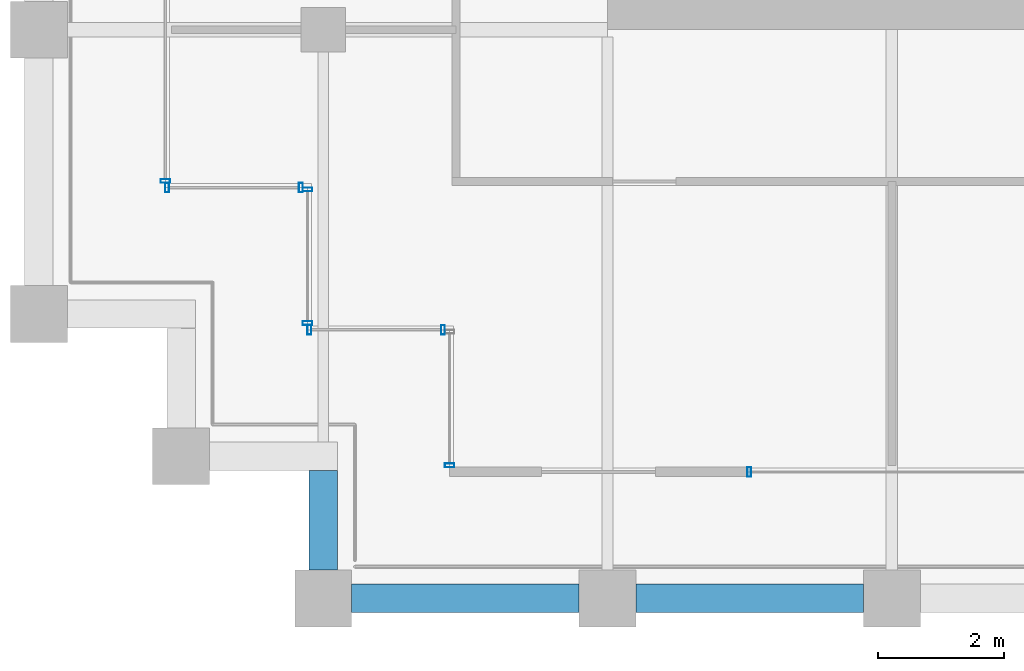
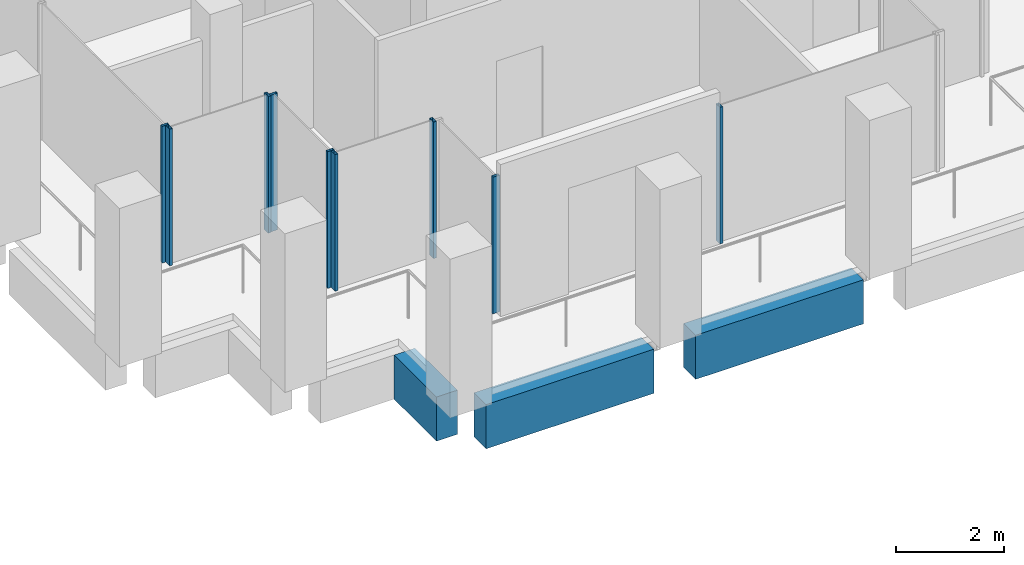
# One storey, part 28 of 40: 9 members, 3 beams, 6 elements without a shape of their own.
"""IFC4 building model written with IfcOpenShell, lengths in metres."""

from ifc_helpers import new_model, si_unit, direction, frame, origin, origin_2d, place, context, subcontext, project, spatial, rectangle, hollow_rectangle, extrude, material, material_profile, profile_set, type_object, element, aggregate, save


model = new_model("IFC4")

# Units and contexts
model_context = context("Model", 3, precision=1e-05, world=origin(), true_north=direction((0.0, 1.0)))
body_context = subcontext(model_context, "Body", "Model", "MODEL_VIEW")
ifc_project = project(units=[si_unit("LENGTHUNIT", "METRE"), si_unit("AREAUNIT", "SQUARE_METRE"), si_unit("VOLUMEUNIT", "CUBIC_METRE"), si_unit("PLANEANGLEUNIT", "RADIAN"), si_unit("MASSUNIT", "GRAM", prefix="KILO")], contexts=[model_context])

# Site, building, storey
site_placement = place(None, origin())
site = spatial("IfcSite", under=ifc_project, at=site_placement, CompositionType="ELEMENT")
building_placement = place(site_placement, origin())
building = spatial("IfcBuilding", under=site, at=building_placement, Name="Altepetl Exchange Towers", CompositionType="ELEMENT")
storey_placement = place(building_placement, frame((0.0, 0.0, 176.199951171875)))
storey = spatial("IfcBuildingStorey", under=building, at=storey_placement, Name="L44", CompositionType="ELEMENT", Elevation=176.199951171875)

# Curtain wall, member
ifc_material_1 = material(Name="Aluminium 6063-T6 glazing", Category="aluminium")
curtain_wall_type = type_object("IfcCurtainWallType", Name="Loggia glazing system", PredefinedType="NOTDEFINED", material=ifc_material_1)
curtain_wall_1_placement = place(storey_placement, origin())
curtain_wall_1 = element("IfcCurtainWall", 1, at=curtain_wall_1_placement, inside=storey, type_object=curtain_wall_type, Name="CW1 run", PredefinedType="NOTDEFINED")
ifc_material_2 = material(Name="Aluminium 6063-T6", Category="aluminium")
ifc_material_profile_1 = material_profile(ifc_material_2, hollow_rectangle(XDim=0.06005859375, YDim=0.14990234375, WallThickness=0.0029296875, at=origin_2d()), Name="Mullion 60x150 aluminium")
ifc_profile_set_1 = profile_set([ifc_material_profile_1], Name="Aluminium 6063-T6")
member_type = type_object("IfcMemberType", Name="Mullion 60x150 aluminium", PredefinedType="MULLION", material=ifc_profile_set_1)
member_1_placement = place(storey_placement, frame((101.0, 29.10498046875, 0.0), z_axis=(0.0, 0.0, 1.0), x_axis=(0.0, -1.0, 0.0)))
member_1 = element("IfcMember", 2, at=member_1_placement, type_object=member_type, Name="MU1 mullion", PredefinedType="MULLION", context=body_context, shape_type="SweptSolid", body=[
    extrude(hollow_rectangle(XDim=0.06005859375, YDim=0.14990234375, WallThickness=0.0029296875, at=origin_2d()), origin(), (0.0, 0.0, 1.0), 3.10009765625),
])
aggregate(curtain_wall_1, [member_1])

curtain_wall_2_placement = place(storey_placement, origin())
curtain_wall_2 = element("IfcCurtainWall", 3, at=curtain_wall_2_placement, inside=storey, type_object=curtain_wall_type, Name="CW1 run", PredefinedType="NOTDEFINED")
member_2_placement = place(storey_placement, frame((105.742431640625, 29.0, 0.0)))
member_2 = element("IfcMember", 4, at=member_2_placement, type_object=member_type, Name="MU1 mullion", PredefinedType="MULLION", context=body_context, shape_type="SweptSolid", body=[
    extrude(hollow_rectangle(XDim=0.06005859375, YDim=0.14990234375, WallThickness=0.0029296875, at=origin_2d()), origin(), (0.0, 0.0, 1.0), 3.10009765625),
])
aggregate(curtain_wall_2, [member_2])

curtain_wall_3_placement = place(storey_placement, origin())
curtain_wall_3 = element("IfcCurtainWall", 5, at=curtain_wall_3_placement, inside=storey, type_object=curtain_wall_type, Name="CW1 run", PredefinedType="NOTDEFINED")
member_3_placement = place(storey_placement, frame((96.5, 33.60498046875, 0.0), z_axis=(0.0, 0.0, 1.0), x_axis=(0.0, -1.0, 0.0)))
member_3 = element("IfcMember", 6, at=member_3_placement, type_object=member_type, Name="MU1 mullion", PredefinedType="MULLION", context=body_context, shape_type="SweptSolid", body=[
    extrude(hollow_rectangle(XDim=0.06005859375, YDim=0.14990234375, WallThickness=0.0029296875, at=origin_2d()), origin(), (0.0, 0.0, 1.0), 3.10009765625),
])
aggregate(curtain_wall_3, [member_3])

# Curtain wall, members
curtain_wall_4_placement = place(storey_placement, origin())
curtain_wall_4 = element("IfcCurtainWall", 7, at=curtain_wall_4_placement, inside=storey, type_object=curtain_wall_type, Name="CW1 run", PredefinedType="NOTDEFINED")
member_4_placement = place(storey_placement, frame((96.530029296875, 33.5, 0.0)))
member_4 = element("IfcMember", 8, at=member_4_placement, type_object=member_type, Name="MU1 mullion", PredefinedType="MULLION", context=body_context, shape_type="SweptSolid", body=[
    extrude(hollow_rectangle(XDim=0.06005859375, YDim=0.14990234375, WallThickness=0.0029296875, at=origin_2d()), origin(), (0.0, 0.0, 1.0), 3.10009765625),
])
member_5_placement = place(storey_placement, frame((98.64501953125, 33.5, 0.0)))
member_5 = element("IfcMember", 9, at=member_5_placement, type_object=member_type, Name="MU1 mullion", PredefinedType="MULLION", context=body_context, shape_type="SweptSolid", body=[
    extrude(hollow_rectangle(XDim=0.06005859375, YDim=0.14990234375, WallThickness=0.0029296875, at=origin_2d()), origin(), (0.0, 0.0, 1.0), 3.10009765625),
])
aggregate(curtain_wall_4, [member_4, member_5])

curtain_wall_5_placement = place(storey_placement, origin())
curtain_wall_5 = element("IfcCurtainWall", 10, at=curtain_wall_5_placement, inside=storey, type_object=curtain_wall_type, Name="CW1 run", PredefinedType="NOTDEFINED")
member_6_placement = place(storey_placement, frame((98.75, 33.469970703125, 0.0), z_axis=(0.0, 0.0, 1.0), x_axis=(0.0, -1.0, 0.0)))
member_6 = element("IfcMember", 11, at=member_6_placement, type_object=member_type, Name="MU1 mullion", PredefinedType="MULLION", context=body_context, shape_type="SweptSolid", body=[
    extrude(hollow_rectangle(XDim=0.06005859375, YDim=0.14990234375, WallThickness=0.0029296875, at=origin_2d()), origin(), (0.0, 0.0, 1.0), 3.10009765625),
])
member_7_placement = place(storey_placement, frame((98.75, 31.35498046875, 0.0), z_axis=(0.0, 0.0, 1.0), x_axis=(0.0, -1.0, 0.0)))
member_7 = element("IfcMember", 12, at=member_7_placement, type_object=member_type, Name="MU1 mullion", PredefinedType="MULLION", context=body_context, shape_type="SweptSolid", body=[
    extrude(hollow_rectangle(XDim=0.06005859375, YDim=0.14990234375, WallThickness=0.0029296875, at=origin_2d()), origin(), (0.0, 0.0, 1.0), 3.10009765625),
])
aggregate(curtain_wall_5, [member_6, member_7])

curtain_wall_6_placement = place(storey_placement, origin())
curtain_wall_6 = element("IfcCurtainWall", 13, at=curtain_wall_6_placement, inside=storey, type_object=curtain_wall_type, Name="CW1 run", PredefinedType="NOTDEFINED")
member_8_placement = place(storey_placement, frame((98.780029296875, 31.25, 0.0)))
member_8 = element("IfcMember", 14, at=member_8_placement, type_object=member_type, Name="MU1 mullion", PredefinedType="MULLION", context=body_context, shape_type="SweptSolid", body=[
    extrude(hollow_rectangle(XDim=0.06005859375, YDim=0.14990234375, WallThickness=0.0029296875, at=origin_2d()), origin(), (0.0, 0.0, 1.0), 3.10009765625),
])
member_9_placement = place(storey_placement, frame((100.89501953125, 31.25, 0.0)))
member_9 = element("IfcMember", 15, at=member_9_placement, type_object=member_type, Name="MU1 mullion", PredefinedType="MULLION", context=body_context, shape_type="SweptSolid", body=[
    extrude(hollow_rectangle(XDim=0.06005859375, YDim=0.14990234375, WallThickness=0.0029296875, at=origin_2d()), origin(), (0.0, 0.0, 1.0), 3.10009765625),
])
aggregate(curtain_wall_6, [member_8, member_9])

# Beams
ifc_material_3 = material(Name="Concrete C50/60 precast with tezontle facing", Category="concrete")
ifc_material_profile_2 = material_profile(ifc_material_3, rectangle(XDim=0.449951171875, YDim=1.0, at=origin_2d()), Name="450 x 1000")
ifc_profile_set_2 = profile_set([ifc_material_profile_2], Name="Concrete C50/60 precast with tezontle facing")
beam_type = type_object("IfcBeamType", Name="Spandrel beam 450x1000 tezontle", PredefinedType="SPANDREL", material=ifc_profile_set_2)
for number, where, z_axis, x_axis, name in (
    (16, (99.449951171875, 27.0, -0.64990234375), (1.0, 0.0, 0.0), (0.0, 1.0, 0.0), "sp:B:L44:000"),
    (17, (103.949951171875, 27.0, -0.64990234375), (1.0, 0.0, 0.0), (0.0, 1.0, 0.0), "sp:B:L44:001"),
):
    element("IfcBeam", number, at=place(storey_placement, frame(where, z_axis=z_axis, x_axis=x_axis)), inside=storey, type_object=beam_type, Name=name, PredefinedType="SPANDREL", context=body_context, shape_type="SweptSolid", body=[
        extrude(rectangle(XDim=0.449951171875, YDim=1.0, at=origin_2d()), origin(), (0.0, 0.0, 1.0), 3.60009765625),
    ])
beam_placement = place(storey_placement, frame((99.0, 29.02490234375, -0.64990234375), z_axis=(0.0, -1.0, 0.0), x_axis=(1.0, 0.0, 0.0)))
element("IfcBeam", 18, at=beam_placement, inside=storey, type_object=beam_type, Name="sp:B:L44:023", PredefinedType="SPANDREL", context=body_context, shape_type="SweptSolid", body=[
    extrude(rectangle(XDim=0.449951171875, YDim=1.0, at=origin_2d()), origin(), (0.0, 0.0, 1.0), 1.574951171875),
])

save(model, "model.ifc")
